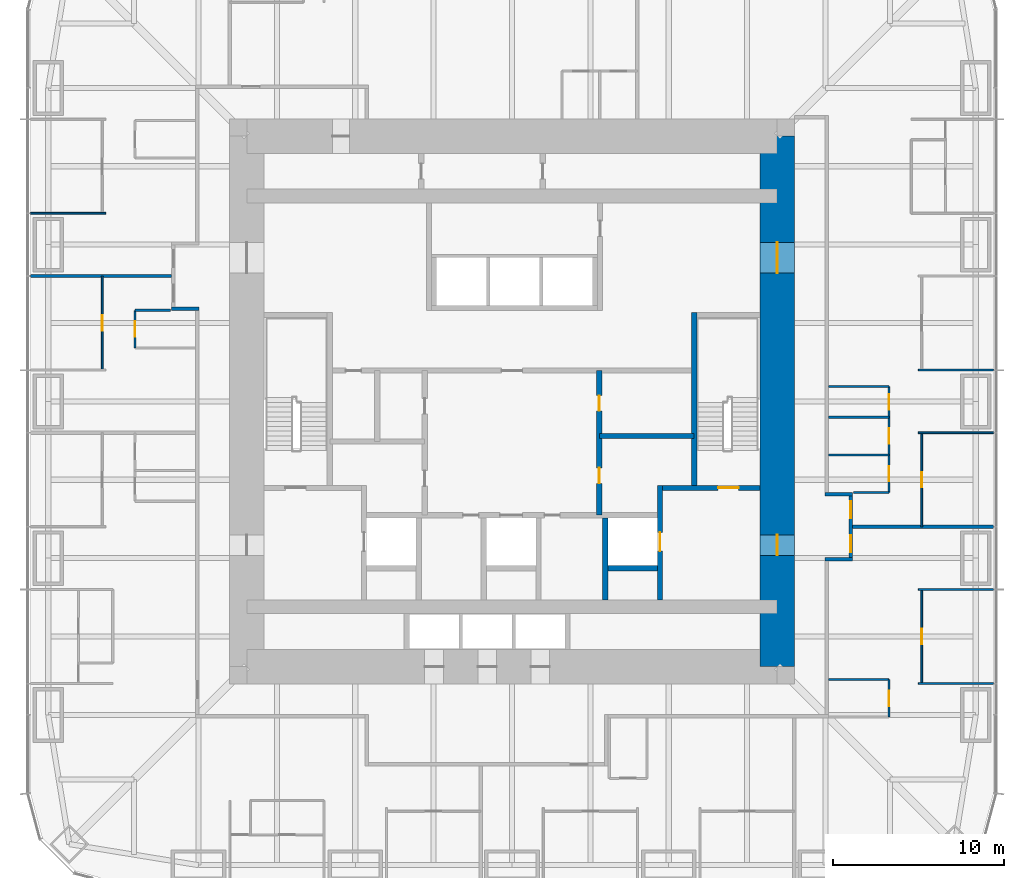
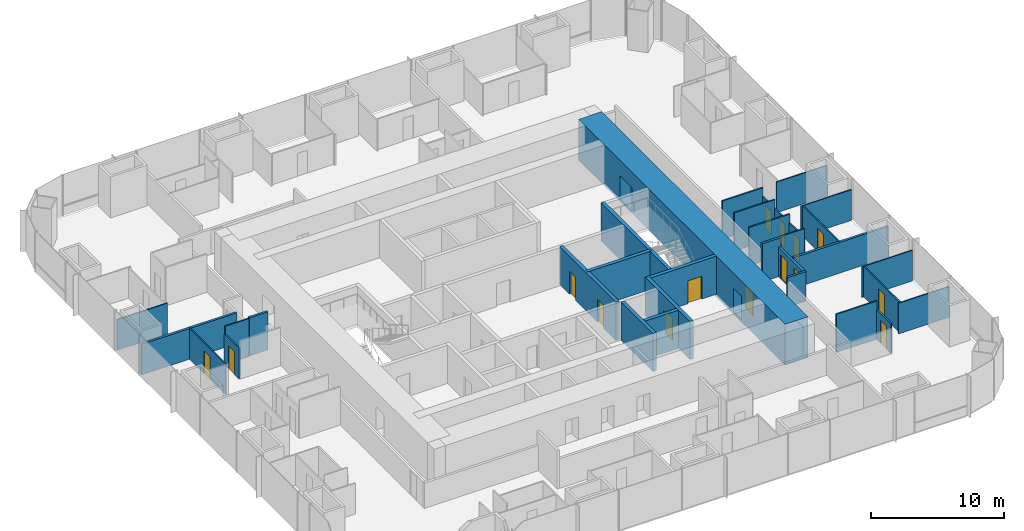
# One storey, part 9 of 12: 31 walls, 16 doors, 16 openings.
"""IFC4 building model written with IfcOpenShell, lengths in metres."""

from ifc_helpers import new_model, si_unit, direction, frame, frame_2d, origin, place, context, subcontext, project, spatial, rectangle, extrude, material, layer, layer_set, type_object, element, fill, save


model = new_model("IFC4")

# Units and contexts
model_context = context("Model", 3, precision=1e-05, world=origin(), true_north=direction((0.0, 1.0)))
body_context = subcontext(model_context, "Body", "Model", "MODEL_VIEW")
ifc_project = project(units=[si_unit("LENGTHUNIT", "METRE"), si_unit("AREAUNIT", "SQUARE_METRE"), si_unit("VOLUMEUNIT", "CUBIC_METRE"), si_unit("PLANEANGLEUNIT", "RADIAN"), si_unit("MASSUNIT", "GRAM", prefix="KILO")], contexts=[model_context])

# Site, building, storey
site_placement = place(None, origin())
site = spatial("IfcSite", under=ifc_project, at=site_placement, CompositionType="ELEMENT")
building_placement = place(site_placement, origin())
building = spatial("IfcBuilding", under=site, at=building_placement, Name="Khuree Lantern Residences", CompositionType="ELEMENT")
storey_placement = place(building_placement, frame((0.0, 0.0, 178.5)))
storey = spatial("IfcBuildingStorey", under=building, at=storey_placement, Name="L45", CompositionType="ELEMENT", Elevation=178.5)

# Wall, openings, doors
ifc_material_1 = material(Name="Moisture-resistant gypsum board on steel studs", Category="steel")
ifc_layer_1 = layer(ifc_material_1, 0.125)
ifc_layer_set_1 = layer_set([ifc_layer_1], Name="BATHROOM WALL BTW125")
wall_type_1 = type_object("IfcWallType", Name="BATHROOM WALL BTW125", PredefinedType="PARTITIONING", material=ifc_layer_set_1)
wall_1_placement = place(storey_placement, frame((22.02978515625, -5.327880859375, 0.0), z_axis=(0.0, 0.0, 1.0), x_axis=(0.0, 1.0, 0.0)))
wall_1 = element("IfcWall", 1, at=wall_1_placement, inside=storey, type_object=wall_type_1, Name="L45 BATHROOM WALL 01", PredefinedType="PARTITIONING", context=body_context, shape_type="SweptSolid", body=[
    extrude(rectangle(XDim=6.199951171875, YDim=0.125, at=frame_2d((3.10009765625, 0.0))), origin(), (0.0, 0.0, 1.0), 2.699951171875),
])
opening_1_placement = place(wall_1_placement, frame((0.64990234375, 0.0, 0.0)))
opening_1 = element("IfcOpeningElement", 2, at=opening_1_placement, cuts=wall_1, Name="Opening 45-030", PredefinedType="OPENING", context=body_context, shape_type="SweptSolid", body=[
    extrude(rectangle(XDim=0.89990234375, YDim=2.10009765625, at=frame_2d((0.449951171875, 1.050048828125))), frame((0.0, 0.072509765625, 0.0), z_axis=(0.0, -1.0, 0.0), x_axis=(1.0, 0.0, 0.0)), (0.0, 0.0, 1.0), 0.14501953125),
])
opening_2_placement = place(wall_1_placement, frame((2.85009765625, 0.0, 0.0)))
opening_2 = element("IfcOpeningElement", 3, at=opening_2_placement, cuts=wall_1, Name="Opening 45-031", PredefinedType="OPENING", context=body_context, shape_type="SweptSolid", body=[
    extrude(rectangle(XDim=0.89990234375, YDim=2.10009765625, at=frame_2d((0.449951171875, 1.050048828125))), frame((0.0, 0.072509765625, 0.0), z_axis=(0.0, -1.0, 0.0), x_axis=(1.0, 0.0, 0.0)), (0.0, 0.0, 1.0), 0.14501953125),
])
opening_3_placement = place(wall_1_placement, frame((4.85009765625, 0.0, 0.0)))
opening_3 = element("IfcOpeningElement", 4, at=opening_3_placement, cuts=wall_1, Name="Opening 45-032", PredefinedType="OPENING", context=body_context, shape_type="SweptSolid", body=[
    extrude(rectangle(XDim=0.89990234375, YDim=2.10009765625, at=frame_2d((0.449951171875, 1.050048828125))), frame((0.0, 0.072509765625, 0.0), z_axis=(0.0, -1.0, 0.0), x_axis=(1.0, 0.0, 0.0)), (0.0, 0.0, 1.0), 0.14501953125),
])
ifc_material_2 = material(Name="Timber door leaf in hardwood frame", Category="wood")
door_type_1 = type_object("IfcDoorType", Name="BATHROOM DOOR 900X2100", OperationType="SINGLE_SWING_LEFT", PredefinedType="DOOR", material=ifc_material_2)
door_1_placement = place(opening_1_placement, origin())
door_1 = element("IfcDoor", 5, at=door_1_placement, inside=storey, type_object=door_type_1, Name="Bathroom door 45-030", OperationType="SINGLE_SWING_LEFT", OverallHeight=2.10009765625, OverallWidth=0.89990234375, PredefinedType="DOOR", context=body_context, shape_type="SweptSolid", body=[
    extrude(rectangle(XDim=0.89990234375, YDim=2.10009765625, at=frame_2d((0.449951171875, 1.050048828125))), frame((0.0, 0.02490234375, 0.0), z_axis=(0.0, -1.0, 0.0), x_axis=(1.0, 0.0, 0.0)), (0.0, 0.0, 1.0), 0.050048828125),
])
fill(opening_1, door_1)
door_2_placement = place(opening_2_placement, origin())
door_2 = element("IfcDoor", 6, at=door_2_placement, inside=storey, type_object=door_type_1, Name="Bathroom door 45-031", OperationType="SINGLE_SWING_LEFT", OverallHeight=2.10009765625, OverallWidth=0.89990234375, PredefinedType="DOOR", context=body_context, shape_type="SweptSolid", body=[
    extrude(rectangle(XDim=0.89990234375, YDim=2.10009765625, at=frame_2d((0.449951171875, 1.050048828125))), frame((0.0, 0.02490234375, 0.0), z_axis=(0.0, -1.0, 0.0), x_axis=(1.0, 0.0, 0.0)), (0.0, 0.0, 1.0), 0.050048828125),
])
fill(opening_2, door_2)
door_type_2 = type_object("IfcDoorType", Name="DOOR 900X2100", OperationType="SINGLE_SWING_LEFT", PredefinedType="DOOR", material=ifc_material_2)
door_3_placement = place(opening_3_placement, origin())
door_3 = element("IfcDoor", 7, at=door_3_placement, inside=storey, type_object=door_type_2, Name="Store door 45-032", OperationType="SINGLE_SWING_LEFT", OverallHeight=2.10009765625, OverallWidth=0.89990234375, PredefinedType="DOOR", context=body_context, shape_type="SweptSolid", body=[
    extrude(rectangle(XDim=0.89990234375, YDim=2.10009765625, at=frame_2d((0.449951171875, 1.050048828125))), frame((0.0, 0.02490234375, 0.0), z_axis=(0.0, -1.0, 0.0), x_axis=(1.0, 0.0, 0.0)), (0.0, 0.0, 1.0), 0.050048828125),
])
fill(opening_3, door_3)

# Walls
wall_2_placement = place(storey_placement, frame((19.969970703125, -5.327880859375, 0.0), z_axis=(0.0, 0.0, 1.0), x_axis=(1.0, 0.0, 0.0)))
element("IfcWall", 8, at=wall_2_placement, inside=storey, type_object=wall_type_1, Name="L45 BATHROOM WALL 01", PredefinedType="PARTITIONING", context=body_context, shape_type="SweptSolid", body=[
    extrude(rectangle(XDim=2.059814453125, YDim=0.125, at=frame_2d((1.02978515625, 0.0))), origin(), (0.0, 0.0, 1.0), 3.5),
])
for number, where, z_axis, x_axis, name in (
    (9, (18.5, -3.1279296875, 0.0), (0.0, 0.0, 1.0), (1.0, 0.0, 0.0), "L45 BATHROOM WALL 01"),
    (10, (18.5, -0.927978515625, 0.0), (0.0, 0.0, 1.0), (1.0, 0.0, 0.0), "L45 BATHROOM WALL 01"),
    (11, (18.5, 0.8720703125, 0.0), (0.0, 0.0, 1.0), (1.0, 0.0, 0.0), "L45 BATHROOM WALL 01"),
):
    element("IfcWall", number, at=place(storey_placement, frame(where, z_axis=z_axis, x_axis=x_axis)), inside=storey, type_object=wall_type_1, Name=name, PredefinedType="PARTITIONING", context=body_context, shape_type="SweptSolid", body=[
        extrude(rectangle(XDim=3.52978515625, YDim=0.125, at=frame_2d((1.764892578125, 0.0))), origin(), (0.0, 0.0, 1.0), 3.5),
    ])

# Wall, opening, door
wall_3_placement = place(storey_placement, frame((-22.02978515625, 5.327880859375, 0.0), z_axis=(0.0, 0.0, 1.0), x_axis=(0.0, -1.0, 0.0)))
wall_3 = element("IfcWall", 12, at=wall_3_placement, inside=storey, type_object=wall_type_1, Name="L45 BATHROOM WALL 04", PredefinedType="PARTITIONING", context=body_context, shape_type="SweptSolid", body=[
    extrude(rectangle(XDim=2.199951171875, YDim=0.125, at=frame_2d((1.10009765625, 0.0))), origin(), (0.0, 0.0, 1.0), 2.81005859375),
])
opening_4_placement = place(wall_3_placement, frame((0.64990234375, 0.0, 0.0)))
opening_4 = element("IfcOpeningElement", 13, at=opening_4_placement, cuts=wall_3, Name="Opening 45-045", PredefinedType="OPENING", context=body_context, shape_type="SweptSolid", body=[
    extrude(rectangle(XDim=0.89990234375, YDim=2.10009765625, at=frame_2d((0.449951171875, 1.050048828125))), frame((0.0, 0.072509765625, 0.0), z_axis=(0.0, -1.0, 0.0), x_axis=(1.0, 0.0, 0.0)), (0.0, 0.0, 1.0), 0.14501953125),
])
door_4_placement = place(opening_4_placement, origin())
door_4 = element("IfcDoor", 14, at=door_4_placement, inside=storey, type_object=door_type_1, Name="Bathroom door 45-045", OperationType="SINGLE_SWING_LEFT", OverallHeight=2.10009765625, OverallWidth=0.89990234375, PredefinedType="DOOR", context=body_context, shape_type="SweptSolid", body=[
    extrude(rectangle(XDim=0.89990234375, YDim=2.10009765625, at=frame_2d((0.449951171875, 1.050048828125))), frame((0.0, 0.02490234375, 0.0), z_axis=(0.0, -1.0, 0.0), x_axis=(1.0, 0.0, 0.0)), (0.0, 0.0, 1.0), 0.050048828125),
])
fill(opening_4, door_4)

# Wall
wall_4_placement = place(storey_placement, frame((-19.969970703125, 5.327880859375, 0.0), z_axis=(0.0, 0.0, 1.0), x_axis=(-1.0, 0.0, 0.0)))
element("IfcWall", 15, at=wall_4_placement, inside=storey, type_object=wall_type_1, Name="L45 BATHROOM WALL 04", PredefinedType="PARTITIONING", context=body_context, shape_type="SweptSolid", body=[
    extrude(rectangle(XDim=2.059814453125, YDim=0.125, at=frame_2d((1.02978515625, 0.0))), origin(), (0.0, 0.0, 1.0), 3.5),
])

# Wall, opening, door
wall_5_placement = place(storey_placement, frame((22.02978515625, -18.449951171875, 0.0), z_axis=(0.0, 0.0, 1.0), x_axis=(0.0, 1.0, 0.0)))
wall_5 = element("IfcWall", 16, at=wall_5_placement, inside=storey, type_object=wall_type_1, Name="L45 BATHROOM WALL 07", PredefinedType="PARTITIONING", context=body_context, shape_type="SweptSolid", body=[
    extrude(rectangle(XDim=2.199951171875, YDim=0.125, at=frame_2d((1.10009765625, 0.0))), origin(), (0.0, 0.0, 1.0), 2.699951171875),
])
opening_5_placement = place(wall_5_placement, frame((0.64990234375, 0.0, 0.0)))
opening_5 = element("IfcOpeningElement", 17, at=opening_5_placement, cuts=wall_5, Name="Opening 45-061", PredefinedType="OPENING", context=body_context, shape_type="SweptSolid", body=[
    extrude(rectangle(XDim=0.89990234375, YDim=2.10009765625, at=frame_2d((0.449951171875, 1.050048828125))), frame((0.0, 0.072509765625, 0.0), z_axis=(0.0, -1.0, 0.0), x_axis=(1.0, 0.0, 0.0)), (0.0, 0.0, 1.0), 0.14501953125),
])
door_5_placement = place(opening_5_placement, origin())
door_5 = element("IfcDoor", 18, at=door_5_placement, inside=storey, type_object=door_type_1, Name="Bathroom door 45-061", OperationType="SINGLE_SWING_LEFT", OverallHeight=2.10009765625, OverallWidth=0.89990234375, PredefinedType="DOOR", context=body_context, shape_type="SweptSolid", body=[
    extrude(rectangle(XDim=0.89990234375, YDim=2.10009765625, at=frame_2d((0.449951171875, 1.050048828125))), frame((0.0, 0.02490234375, 0.0), z_axis=(0.0, -1.0, 0.0), x_axis=(1.0, 0.0, 0.0)), (0.0, 0.0, 1.0), 0.050048828125),
])
fill(opening_5, door_5)

# Wall
wall_6_placement = place(storey_placement, frame((18.5, -16.25, 0.0), z_axis=(0.0, 0.0, 1.0), x_axis=(1.0, 0.0, 0.0)))
element("IfcWall", 19, at=wall_6_placement, inside=storey, type_object=wall_type_1, Name="L45 BATHROOM WALL 07", PredefinedType="PARTITIONING", context=body_context, shape_type="SweptSolid", body=[
    extrude(rectangle(XDim=3.52978515625, YDim=0.125, at=frame_2d((1.764892578125, 0.0))), origin(), (0.0, 0.0, 1.0), 3.5),
])

# Wall, opening, door
ifc_material_3 = material(Name="Dense concrete blockwork", Category="masonry")
ifc_layer_2 = layer(ifc_material_3, 0.300048828125)
ifc_layer_set_2 = layer_set([ifc_layer_2], Name="CORE PARTITION WALL CPW300 EI 120")
wall_type_2 = type_object("IfcWallType", Name="CORE PARTITION WALL CPW300 EI 120", PredefinedType="PARTITIONING", material=ifc_layer_set_2)
wall_7_placement = place(storey_placement, frame((8.64990234375, -11.60009765625, 0.0), z_axis=(0.0, 0.0, 1.0), x_axis=(0.0, 1.0, 0.0)))
wall_7 = element("IfcWall", 20, at=wall_7_placement, inside=storey, type_object=wall_type_2, Name="L45 CORE WALL FL2E", PredefinedType="PARTITIONING", context=body_context, shape_type="SweptSolid", body=[
    extrude(rectangle(XDim=6.7001953125, YDim=0.300048828125, at=frame_2d((3.35009765625, 0.0))), origin(), (0.0, 0.0, 1.0), 3.5),
])
opening_6_placement = place(wall_7_placement, frame((2.85009765625, 0.0, 0.0)))
opening_6 = element("IfcOpeningElement", 21, at=opening_6_placement, cuts=wall_7, Name="Opening 45-008", PredefinedType="OPENING", context=body_context, shape_type="SweptSolid", body=[
    extrude(rectangle(XDim=1.10009765625, YDim=2.10009765625, at=frame_2d((0.550048828125, 1.050048828125))), frame((0.0, 0.16015625, 0.0), z_axis=(0.0, -1.0, 0.0), x_axis=(1.0, 0.0, 0.0)), (0.0, 0.0, 1.0), 0.320068359375),
])
ifc_material_4 = material(Name="Stainless steel lift landing door", Category="steel")
door_type_3 = type_object("IfcDoorType", Name="LIFT LANDING DOOR 1100X2100 E 120", OperationType="DOUBLE_DOOR_SLIDING", PredefinedType="DOOR", material=ifc_material_4)
door_6_placement = place(opening_6_placement, origin())
door_6 = element("IfcDoor", 22, at=door_6_placement, inside=storey, type_object=door_type_3, Name="Landing door FL2 45-008", OperationType="DOUBLE_DOOR_SLIDING", OverallHeight=2.10009765625, OverallWidth=1.10009765625, PredefinedType="DOOR", context=body_context, shape_type="SweptSolid", body=[
    extrude(rectangle(XDim=1.10009765625, YDim=2.10009765625, at=frame_2d((0.550048828125, 1.050048828125))), frame((0.0, 0.02490234375, 0.0), z_axis=(0.0, -1.0, 0.0), x_axis=(1.0, 0.0, 0.0)), (0.0, 0.0, 1.0), 0.050048828125),
])
fill(opening_6, door_6)

# Walls
wall_8_placement = place(storey_placement, frame((5.449951171875, -11.60009765625, 0.0), z_axis=(0.0, 0.0, 1.0), x_axis=(0.0, 1.0, 0.0)))
element("IfcWall", 23, at=wall_8_placement, inside=storey, type_object=wall_type_2, Name="L45 CORE WALL FL2W", PredefinedType="PARTITIONING", context=body_context, shape_type="SweptSolid", body=[
    extrude(rectangle(XDim=4.800048828125, YDim=0.300048828125, at=frame_2d((2.39990234375, 0.0))), origin(), (0.0, 0.0, 1.0), 3.5),
])
wall_9_placement = place(storey_placement, frame((5.60009765625, -9.75, 0.0), z_axis=(0.0, 0.0, 1.0), x_axis=(1.0, 0.0, 0.0)))
element("IfcWall", 24, at=wall_9_placement, inside=storey, type_object=wall_type_2, Name="L45 CORE WALL FL2S", PredefinedType="PARTITIONING", context=body_context, shape_type="SweptSolid", body=[
    extrude(rectangle(XDim=2.89990234375, YDim=0.300048828125, at=frame_2d((1.449951171875, 0.0))), origin(), (0.0, 0.0, 1.0), 3.5),
])

# Wall, openings, doors
wall_10_placement = place(storey_placement, frame((5.10009765625, -6.64990234375, 0.0), z_axis=(0.0, 0.0, 1.0), x_axis=(0.0, 1.0, 0.0)))
wall_10 = element("IfcWall", 25, at=wall_10_placement, inside=storey, type_object=wall_type_2, Name="L45 CORE WALL SVE", PredefinedType="PARTITIONING", context=body_context, shape_type="SweptSolid", body=[
    extrude(rectangle(XDim=8.449951171875, YDim=0.300048828125, at=frame_2d((4.22509765625, 0.0))), origin(), (0.0, 0.0, 1.0), 3.5),
])
opening_7_placement = place(wall_10_placement, frame((1.865966796875, 0.0, 0.0)))
opening_7 = element("IfcOpeningElement", 26, at=opening_7_placement, cuts=wall_10, Name="Opening 45-019", PredefinedType="OPENING", context=body_context, shape_type="SweptSolid", body=[
    extrude(rectangle(XDim=0.89990234375, YDim=2.10009765625, at=frame_2d((0.449951171875, 1.050048828125))), frame((0.0, 0.16015625, 0.0), z_axis=(0.0, -1.0, 0.0), x_axis=(1.0, 0.0, 0.0)), (0.0, 0.0, 1.0), 0.320068359375),
])
opening_8_placement = place(wall_10_placement, frame((6.091064453125, 0.0, 0.0)))
opening_8 = element("IfcOpeningElement", 27, at=opening_8_placement, cuts=wall_10, Name="Opening 45-020", PredefinedType="OPENING", context=body_context, shape_type="SweptSolid", body=[
    extrude(rectangle(XDim=0.89990234375, YDim=2.10009765625, at=frame_2d((0.449951171875, 1.050048828125))), frame((0.0, 0.16015625, 0.0), z_axis=(0.0, -1.0, 0.0), x_axis=(1.0, 0.0, 0.0)), (0.0, 0.0, 1.0), 0.320068359375),
])
door_7_placement = place(opening_7_placement, origin())
door_7 = element("IfcDoor", 28, at=door_7_placement, inside=storey, type_object=door_type_2, Name="Parcel room door 45-019", OperationType="SINGLE_SWING_LEFT", OverallHeight=2.10009765625, OverallWidth=0.89990234375, PredefinedType="DOOR", context=body_context, shape_type="SweptSolid", body=[
    extrude(rectangle(XDim=0.89990234375, YDim=2.10009765625, at=frame_2d((0.449951171875, 1.050048828125))), frame((0.0, 0.02490234375, 0.0), z_axis=(0.0, -1.0, 0.0), x_axis=(1.0, 0.0, 0.0)), (0.0, 0.0, 1.0), 0.050048828125),
])
fill(opening_7, door_7)
door_type_4 = type_object("IfcDoorType", Name="DOOR 900X2100 RIGHT HAND", OperationType="SINGLE_SWING_RIGHT", PredefinedType="DOOR", material=ifc_material_2)
door_8_placement = place(opening_8_placement, origin())
door_8 = element("IfcDoor", 29, at=door_8_placement, inside=storey, type_object=door_type_4, Name="Bulky waste store door 45-020", OperationType="SINGLE_SWING_RIGHT", OverallHeight=2.10009765625, OverallWidth=0.89990234375, PredefinedType="DOOR", context=body_context, shape_type="SweptSolid", body=[
    extrude(rectangle(XDim=0.89990234375, YDim=2.10009765625, at=frame_2d((0.449951171875, 1.050048828125))), frame((0.0, 0.02490234375, 0.0), z_axis=(0.0, -1.0, 0.0), x_axis=(1.0, 0.0, 0.0)), (0.0, 0.0, 1.0), 0.050048828125),
])
fill(opening_8, door_8)

# Walls
wall_11_placement = place(storey_placement, frame((10.64990234375, -2.01806640625, 0.0), z_axis=(0.0, 0.0, 1.0), x_axis=(-1.0, 0.0, 0.0)))
element("IfcWall", 30, at=wall_11_placement, inside=storey, type_object=wall_type_2, Name="L45 CORE WALL EX", PredefinedType="PARTITIONING", context=body_context, shape_type="SweptSolid", body=[
    extrude(rectangle(XDim=5.5498046875, YDim=0.300048828125, at=frame_2d((2.77490234375, 0.0))), origin(), (0.0, 0.0, 1.0), 3.5),
])
ifc_material_5 = material(Name="Gypsum board on steel studs", Category="steel")
ifc_layer_3 = layer(ifc_material_5, 0.199951171875)
ifc_layer_set_3 = layer_set([ifc_layer_3], Name="CORRIDOR WALL CRW200 EI 60")
wall_type_3 = type_object("IfcWallType", Name="CORRIDOR WALL CRW200 EI 60", PredefinedType="PARTITIONING", material=ifc_layer_set_3)
wall_12_placement = place(storey_placement, frame((18.300048828125, -9.22802734375, 0.0), z_axis=(0.0, 0.0, 1.0), x_axis=(1.0, 0.0, 0.0)))
element("IfcWall", 31, at=wall_12_placement, inside=storey, type_object=wall_type_3, Name="L45 CORRIDOR ALCOVE WALL EAST", PredefinedType="PARTITIONING", context=body_context, shape_type="SweptSolid", body=[
    extrude(rectangle(XDim=1.599853515625, YDim=0.199951171875, at=frame_2d((0.7998046875, 0.0))), origin(), (0.0, 0.0, 1.0), 2.699951171875),
])
wall_13_placement = place(storey_placement, frame((18.300048828125, -5.427978515625, 0.0), z_axis=(0.0, 0.0, 1.0), x_axis=(1.0, 0.0, 0.0)))
element("IfcWall", 32, at=wall_13_placement, inside=storey, type_object=wall_type_3, Name="L45 CORRIDOR ALCOVE WALL EAST", PredefinedType="PARTITIONING", context=body_context, shape_type="SweptSolid", body=[
    extrude(rectangle(XDim=1.599853515625, YDim=0.199951171875, at=frame_2d((0.7998046875, 0.0))), origin(), (0.0, 0.0, 1.0), 3.5),
])

# Wall, openings, doors
wall_14_placement = place(storey_placement, frame((19.800048828125, -9.1279296875, 0.0), z_axis=(0.0, 0.0, 1.0), x_axis=(0.0, 1.0, 0.0)))
wall_14 = element("IfcWall", 33, at=wall_14_placement, inside=storey, type_object=wall_type_3, Name="L45 CORRIDOR ALCOVE WALL EAST", PredefinedType="PARTITIONING", context=body_context, shape_type="SweptSolid", body=[
    extrude(rectangle(XDim=3.599853515625, YDim=0.199951171875, at=frame_2d((1.7998046875, 0.0))), origin(), (0.0, 0.0, 1.0), 2.699951171875),
])
opening_9_placement = place(wall_14_placement, frame((2.300048828125, 0.0, 0.0)))
opening_9 = element("IfcOpeningElement", 34, at=opening_9_placement, cuts=wall_14, Name="Opening 45-033", PredefinedType="OPENING", context=body_context, shape_type="SweptSolid", body=[
    extrude(rectangle(XDim=1.0, YDim=2.199951171875, at=frame_2d((0.5, 1.10009765625))), frame((0.0, 0.10986328125, 0.0), z_axis=(0.0, -1.0, 0.0), x_axis=(1.0, 0.0, 0.0)), (0.0, 0.0, 1.0), 0.219970703125),
])
opening_10_placement = place(wall_14_placement, frame((0.300048828125, 0.0, 0.0)))
opening_10 = element("IfcOpeningElement", 35, at=opening_10_placement, cuts=wall_14, Name="Opening 45-062", PredefinedType="OPENING", context=body_context, shape_type="SweptSolid", body=[
    extrude(rectangle(XDim=1.0, YDim=2.199951171875, at=frame_2d((0.5, 1.10009765625))), frame((0.0, 0.10986328125, 0.0), z_axis=(0.0, -1.0, 0.0), x_axis=(1.0, 0.0, 0.0)), (0.0, 0.0, 1.0), 0.219970703125),
])
door_type_5 = type_object("IfcDoorType", Name="APARTMENT ENTRANCE DOOR 1000X2200 EI 30S", OperationType="SINGLE_SWING_LEFT", PredefinedType="DOOR", material=ifc_material_2)
door_9_placement = place(opening_10_placement, origin())
door_9 = element("IfcDoor", 36, at=door_9_placement, inside=storey, type_object=door_type_5, Name="Apartment 07 entrance door 45-062", OperationType="SINGLE_SWING_LEFT", OverallHeight=2.199951171875, OverallWidth=1.0, PredefinedType="DOOR", context=body_context, shape_type="SweptSolid", body=[
    extrude(rectangle(XDim=1.0, YDim=2.199951171875, at=frame_2d((0.5, 1.10009765625))), frame((0.0, 0.02490234375, 0.0), z_axis=(0.0, -1.0, 0.0), x_axis=(1.0, 0.0, 0.0)), (0.0, 0.0, 1.0), 0.050048828125),
])
fill(opening_10, door_9)
door_type_6 = type_object("IfcDoorType", Name="APARTMENT ENTRANCE DOOR 1000X2200 EI 30S RIGHT HAND", OperationType="SINGLE_SWING_RIGHT", PredefinedType="DOOR", material=ifc_material_2)
door_10_placement = place(opening_9_placement, origin())
door_10 = element("IfcDoor", 37, at=door_10_placement, inside=storey, type_object=door_type_6, Name="Apartment 01 entrance door 45-033", OperationType="SINGLE_SWING_RIGHT", OverallHeight=2.199951171875, OverallWidth=1.0, PredefinedType="DOOR", context=body_context, shape_type="SweptSolid", body=[
    extrude(rectangle(XDim=1.0, YDim=2.199951171875, at=frame_2d((0.5, 1.10009765625))), frame((0.0, 0.02490234375, 0.0), z_axis=(0.0, -1.0, 0.0), x_axis=(1.0, 0.0, 0.0)), (0.0, 0.0, 1.0), 0.050048828125),
])
fill(opening_9, door_10)

# Wall
wall_15_placement = place(storey_placement, frame((-18.300048828125, 5.427978515625, 0.0), z_axis=(0.0, 0.0, 1.0), x_axis=(-1.0, 0.0, 0.0)))
element("IfcWall", 38, at=wall_15_placement, inside=storey, type_object=wall_type_3, Name="L45 CORRIDOR ALCOVE WALL WEST", PredefinedType="PARTITIONING", context=body_context, shape_type="SweptSolid", body=[
    extrude(rectangle(XDim=1.599853515625, YDim=0.199951171875, at=frame_2d((0.7998046875, 0.0))), origin(), (0.0, 0.0, 1.0), 3.5),
])

# Wall, openings, doors
ifc_material_6 = material(Name="Concrete C70/85", Category="concrete")
ifc_layer_4 = layer(ifc_material_6, 2.0)
ifc_layer_set_4 = layer_set([ifc_layer_4], Name="CW2000-C70 CORE WALL C70 2000")
wall_type_4 = type_object("IfcWallType", Name="CW2000-C70 CORE WALL C70 2000", PredefinedType="SHEAR", material=ifc_layer_set_4)
wall_16_placement = place(storey_placement, frame((15.5, -15.5, -0.25), z_axis=(0.0, 0.0, 1.0), x_axis=(0.0, 1.0, 0.0)))
wall_16 = element("IfcWall", 39, at=wall_16_placement, inside=storey, type_object=wall_type_4, Name="Core wall E", PredefinedType="SHEAR", context=body_context, shape_type="SweptSolid", body=[
    extrude(rectangle(XDim=31.0, YDim=2.0, at=frame_2d((15.5, 0.0))), origin(), (0.0, 0.0, 1.0), 3.75),
])
opening_11_placement = place(wall_16_placement, frame((6.5, 0.0, 0.25)))
opening_11 = element("IfcOpeningElement", 40, at=opening_11_placement, cuts=wall_16, Name="Opening 45-005", PredefinedType="OPENING", context=body_context, shape_type="SweptSolid", body=[
    extrude(rectangle(XDim=1.199951171875, YDim=2.10009765625, at=frame_2d((0.60009765625, 1.050048828125))), frame((0.0, 1.010009765625, 0.0), z_axis=(0.0, -1.0, 0.0), x_axis=(1.0, 0.0, 0.0)), (0.0, 0.0, 1.0), 2.02001953125),
])
opening_12_placement = place(wall_16_placement, frame((23.0, 0.0, 0.25)))
opening_12 = element("IfcOpeningElement", 41, at=opening_12_placement, cuts=wall_16, Name="Opening 45-006", PredefinedType="OPENING", context=body_context, shape_type="SweptSolid", body=[
    extrude(rectangle(XDim=1.800048828125, YDim=2.10009765625, at=frame_2d((0.89990234375, 1.050048828125))), frame((0.0, 1.010009765625, 0.0), z_axis=(0.0, -1.0, 0.0), x_axis=(1.0, 0.0, 0.0)), (0.0, 0.0, 1.0), 2.02001953125),
])
ifc_material_7 = material(Name="Steel door leaf in steel frame", Category="steel")
door_type_7 = type_object("IfcDoorType", Name="LOBBY DOOR 1200X2100 EI 120", OperationType="SINGLE_SWING_LEFT", PredefinedType="DOOR", material=ifc_material_7)
door_11_placement = place(opening_11_placement, origin())
door_11 = element("IfcDoor", 42, at=door_11_placement, inside=storey, type_object=door_type_7, Name="Firefighting lobby door 45-005", OperationType="SINGLE_SWING_LEFT", OverallHeight=2.10009765625, OverallWidth=1.199951171875, PredefinedType="DOOR", context=body_context, shape_type="SweptSolid", body=[
    extrude(rectangle(XDim=1.199951171875, YDim=2.10009765625, at=frame_2d((0.60009765625, 1.050048828125))), frame((0.0, 0.02490234375, 0.0), z_axis=(0.0, -1.0, 0.0), x_axis=(1.0, 0.0, 0.0)), (0.0, 0.0, 1.0), 0.050048828125),
])
fill(opening_11, door_11)
door_type_8 = type_object("IfcDoorType", Name="LOBBY DOUBLE DOOR 1800X2100 EI 60", OperationType="DOUBLE_DOOR_SINGLE_SWING", PredefinedType="DOOR", material=ifc_material_7)
door_12_placement = place(opening_12_placement, origin())
door_12 = element("IfcDoor", 43, at=door_12_placement, inside=storey, type_object=door_type_8, Name="Lift lobby door 45-006", OperationType="DOUBLE_DOOR_SINGLE_SWING", OverallHeight=2.10009765625, OverallWidth=1.800048828125, PredefinedType="DOOR", context=body_context, shape_type="SweptSolid", body=[
    extrude(rectangle(XDim=1.800048828125, YDim=2.10009765625, at=frame_2d((0.89990234375, 1.050048828125))), frame((0.0, 0.02490234375, 0.0), z_axis=(0.0, -1.0, 0.0), x_axis=(1.0, 0.0, 0.0)), (0.0, 0.0, 1.0), 0.050048828125),
])
fill(opening_12, door_12)

# Walls
ifc_layer_5 = layer(ifc_material_5, 0.199951171875)
ifc_layer_set_5 = layer_set([ifc_layer_5], Name="DEMISING WALL DMW200 EI 90")
wall_type_5 = type_object("IfcWallType", Name="DEMISING WALL DMW200 EI 90", PredefinedType="PARTITIONING", material=ifc_layer_set_5)
for number, where, z_axis, x_axis, name in (
    (44, (19.89990234375, -7.327880859375, 0.0), (0.0, 0.0, 1.0), (1.0, 0.0, 0.0), "L45 DEMISING WALL 01"),
    (45, (-19.89990234375, 7.327880859375, 0.0), (0.0, 0.0, 1.0), (-1.0, 0.0, 0.0), "L45 DEMISING WALL 04"),
):
    element("IfcWall", number, at=place(storey_placement, frame(where, z_axis=z_axis, x_axis=x_axis)), inside=storey, type_object=wall_type_5, Name=name, PredefinedType="PARTITIONING", context=body_context, shape_type="SweptSolid", body=[
        extrude(rectangle(XDim=8.25, YDim=0.199951171875, at=frame_2d((4.125, 0.0))), origin(), (0.0, 0.0, 1.0), 2.81005859375),
    ])
ifc_layer_6 = layer(ifc_material_5, 0.10009765625)
ifc_layer_set_6 = layer_set([ifc_layer_6], Name="PARTITION PT100")
wall_type_6 = type_object("IfcWallType", Name="PARTITION PT100", PredefinedType="PARTITIONING", material=ifc_layer_set_6)
for number, where, z_axis, x_axis, name in (
    (46, (23.75, -1.83203125, 0.0), (0.0, 0.0, 1.0), (1.0, 0.0, 0.0), "L45 PARTITION 01"),
    (47, (23.75, 1.83203125, 0.0), (0.0, 0.0, 1.0), (1.0, 0.0, 0.0), "L45 PARTITION 01"),
    (48, (-23.75, 10.991943359375, 0.0), (0.0, 0.0, 1.0), (-1.0, 0.0, 0.0), "L45 PARTITION 03"),
    (49, (23.75, -16.488037109375, 0.0), (0.0, 0.0, 1.0), (1.0, 0.0, 0.0), "L45 PARTITION 07"),
    (50, (23.75, -10.991943359375, 0.0), (0.0, 0.0, 1.0), (1.0, 0.0, 0.0), "L45 PARTITION 07"),
):
    element("IfcWall", number, at=place(storey_placement, frame(where, z_axis=z_axis, x_axis=x_axis)), inside=storey, type_object=wall_type_6, Name=name, PredefinedType="PARTITIONING", context=body_context, shape_type="SweptSolid", body=[
        extrude(rectangle(XDim=4.39990234375, YDim=0.10009765625, at=frame_2d((2.199951171875, 0.0))), origin(), (0.0, 0.0, 1.0), 2.81005859375),
    ])

# Wall, opening, door
wall_17_placement = place(storey_placement, frame((23.949951171875, -7.327880859375, 0.0), z_axis=(0.0, 0.0, 1.0), x_axis=(0.0, 1.0, 0.0)))
wall_17 = element("IfcWall", 51, at=wall_17_placement, inside=storey, type_object=wall_type_6, Name="L45 PARTITION 01", PredefinedType="PARTITIONING", context=body_context, shape_type="SweptSolid", body=[
    extrude(rectangle(XDim=5.495849609375, YDim=0.10009765625, at=frame_2d((2.748046875, 0.0))), origin(), (0.0, 0.0, 1.0), 2.81005859375),
])
opening_13_placement = place(wall_17_placement, frame((2.298095703125, 0.0, 0.0)))
opening_13 = element("IfcOpeningElement", 52, at=opening_13_placement, cuts=wall_17, Name="Opening 45-025", PredefinedType="OPENING", context=body_context, shape_type="SweptSolid", body=[
    extrude(rectangle(XDim=0.89990234375, YDim=2.10009765625, at=frame_2d((0.449951171875, 1.050048828125))), frame((0.0, 0.06005859375, 0.0), z_axis=(0.0, -1.0, 0.0), x_axis=(1.0, 0.0, 0.0)), (0.0, 0.0, 1.0), 0.1201171875),
])
door_type_9 = type_object("IfcDoorType", Name="BEDROOM DOOR 900X2100", OperationType="SINGLE_SWING_LEFT", PredefinedType="DOOR", material=ifc_material_2)
door_13_placement = place(opening_13_placement, origin())
door_13 = element("IfcDoor", 53, at=door_13_placement, inside=storey, type_object=door_type_9, Name="Bedroom door 45-025", OperationType="SINGLE_SWING_LEFT", OverallHeight=2.10009765625, OverallWidth=0.89990234375, PredefinedType="DOOR", context=body_context, shape_type="SweptSolid", body=[
    extrude(rectangle(XDim=0.89990234375, YDim=2.10009765625, at=frame_2d((0.449951171875, 1.050048828125))), frame((0.0, 0.02490234375, 0.0), z_axis=(0.0, -1.0, 0.0), x_axis=(1.0, 0.0, 0.0)), (0.0, 0.0, 1.0), 0.050048828125),
])
fill(opening_13, door_13)

wall_18_placement = place(storey_placement, frame((-23.949951171875, 7.327880859375, 0.0), z_axis=(0.0, 0.0, 1.0), x_axis=(0.0, -1.0, 0.0)))
wall_18 = element("IfcWall", 54, at=wall_18_placement, inside=storey, type_object=wall_type_6, Name="L45 PARTITION 04", PredefinedType="PARTITIONING", context=body_context, shape_type="SweptSolid", body=[
    extrude(rectangle(XDim=5.495849609375, YDim=0.10009765625, at=frame_2d((2.748046875, 0.0))), origin(), (0.0, 0.0, 1.0), 2.81005859375),
])
opening_14_placement = place(wall_18_placement, frame((2.298095703125, 0.0, 0.0)))
opening_14 = element("IfcOpeningElement", 55, at=opening_14_placement, cuts=wall_18, Name="Opening 45-044", PredefinedType="OPENING", context=body_context, shape_type="SweptSolid", body=[
    extrude(rectangle(XDim=0.89990234375, YDim=2.10009765625, at=frame_2d((0.449951171875, 1.050048828125))), frame((0.0, 0.06005859375, 0.0), z_axis=(0.0, -1.0, 0.0), x_axis=(1.0, 0.0, 0.0)), (0.0, 0.0, 1.0), 0.1201171875),
])
door_14_placement = place(opening_14_placement, origin())
door_14 = element("IfcDoor", 56, at=door_14_placement, inside=storey, type_object=door_type_9, Name="Bedroom door 45-044", OperationType="SINGLE_SWING_LEFT", OverallHeight=2.10009765625, OverallWidth=0.89990234375, PredefinedType="DOOR", context=body_context, shape_type="SweptSolid", body=[
    extrude(rectangle(XDim=0.89990234375, YDim=2.10009765625, at=frame_2d((0.449951171875, 1.050048828125))), frame((0.0, 0.02490234375, 0.0), z_axis=(0.0, -1.0, 0.0), x_axis=(1.0, 0.0, 0.0)), (0.0, 0.0, 1.0), 0.050048828125),
])
fill(opening_14, door_14)

wall_19_placement = place(storey_placement, frame((23.949951171875, -16.488037109375, 0.0), z_axis=(0.0, 0.0, 1.0), x_axis=(0.0, 1.0, 0.0)))
wall_19 = element("IfcWall", 57, at=wall_19_placement, inside=storey, type_object=wall_type_6, Name="L45 PARTITION 07", PredefinedType="PARTITIONING", context=body_context, shape_type="SweptSolid", body=[
    extrude(rectangle(XDim=5.49609375, YDim=0.10009765625, at=frame_2d((2.748046875, 0.0))), origin(), (0.0, 0.0, 1.0), 2.81005859375),
])
opening_15_placement = place(wall_19_placement, frame((2.298095703125, 0.0, 0.0)))
opening_15 = element("IfcOpeningElement", 58, at=opening_15_placement, cuts=wall_19, Name="Opening 45-060", PredefinedType="OPENING", context=body_context, shape_type="SweptSolid", body=[
    extrude(rectangle(XDim=0.89990234375, YDim=2.10009765625, at=frame_2d((0.449951171875, 1.050048828125))), frame((0.0, 0.06005859375, 0.0), z_axis=(0.0, -1.0, 0.0), x_axis=(1.0, 0.0, 0.0)), (0.0, 0.0, 1.0), 0.1201171875),
])
door_15_placement = place(opening_15_placement, origin())
door_15 = element("IfcDoor", 59, at=door_15_placement, inside=storey, type_object=door_type_9, Name="Bedroom door 45-060", OperationType="SINGLE_SWING_LEFT", OverallHeight=2.10009765625, OverallWidth=0.89990234375, PredefinedType="DOOR", context=body_context, shape_type="SweptSolid", body=[
    extrude(rectangle(XDim=0.89990234375, YDim=2.10009765625, at=frame_2d((0.449951171875, 1.050048828125))), frame((0.0, 0.02490234375, 0.0), z_axis=(0.0, -1.0, 0.0), x_axis=(1.0, 0.0, 0.0)), (0.0, 0.0, 1.0), 0.050048828125),
])
fill(opening_15, door_15)

# Wall
ifc_material_8 = material(Name="Concrete C50/60", Category="concrete")
ifc_layer_7 = layer(ifc_material_8, 0.300048828125)
ifc_layer_set_7 = layer_set([ifc_layer_7], Name="STAIR WALL SRW300 C50/60 REI 240")
wall_type_7 = type_object("IfcWallType", Name="STAIR WALL SRW300 C50/60 REI 240", PredefinedType="SOLIDWALL", material=ifc_layer_set_7)
wall_20_placement = place(storey_placement, frame((10.64990234375, -4.89990234375, 0.0), z_axis=(0.0, 0.0, 1.0), x_axis=(0.0, 1.0, 0.0)))
element("IfcWall", 60, at=wall_20_placement, inside=storey, type_object=wall_type_7, Name="L45 STAIR WALL ST2E", PredefinedType="SOLIDWALL", context=body_context, shape_type="SweptSolid", body=[
    extrude(rectangle(XDim=10.099853515625, YDim=0.300048828125, at=frame_2d((5.0498046875, 0.0))), origin(), (0.0, 0.0, 1.0), 3.5),
])

# Wall, opening, door
wall_21_placement = place(storey_placement, frame((14.5, -5.050048828125, 0.0), z_axis=(0.0, 0.0, 1.0), x_axis=(-1.0, 0.0, 0.0)))
wall_21 = element("IfcWall", 61, at=wall_21_placement, inside=storey, type_object=wall_type_7, Name="L45 STAIR WALL ST2S", PredefinedType="SOLIDWALL", context=body_context, shape_type="SweptSolid", body=[
    extrude(rectangle(XDim=5.699951171875, YDim=0.300048828125, at=frame_2d((2.85009765625, 0.0))), origin(), (0.0, 0.0, 1.0), 3.5),
])
opening_16_placement = place(wall_21_placement, frame((1.25, 0.0, 0.0)))
opening_16 = element("IfcOpeningElement", 62, at=opening_16_placement, cuts=wall_21, Name="Opening 45-004", PredefinedType="OPENING", context=body_context, shape_type="SweptSolid", body=[
    extrude(rectangle(XDim=1.199951171875, YDim=2.10009765625, at=frame_2d((0.60009765625, 1.050048828125))), frame((0.0, 0.16015625, 0.0), z_axis=(0.0, -1.0, 0.0), x_axis=(1.0, 0.0, 0.0)), (0.0, 0.0, 1.0), 0.320068359375),
])
door_type_10 = type_object("IfcDoorType", Name="STAIR DOOR 1200X2100 EI 120", OperationType="SINGLE_SWING_LEFT", PredefinedType="DOOR", material=ifc_material_7)
door_16_placement = place(opening_16_placement, origin())
door_16 = element("IfcDoor", 63, at=door_16_placement, inside=storey, type_object=door_type_10, Name="Stair ST2 door 45-004", OperationType="SINGLE_SWING_LEFT", OverallHeight=2.10009765625, OverallWidth=1.199951171875, PredefinedType="DOOR", context=body_context, shape_type="SweptSolid", body=[
    extrude(rectangle(XDim=1.199951171875, YDim=2.10009765625, at=frame_2d((0.60009765625, 1.050048828125))), frame((0.0, 0.02490234375, 0.0), z_axis=(0.0, -1.0, 0.0), x_axis=(1.0, 0.0, 0.0)), (0.0, 0.0, 1.0), 0.050048828125),
])
fill(opening_16, door_16)

save(model, "model.ifc")
